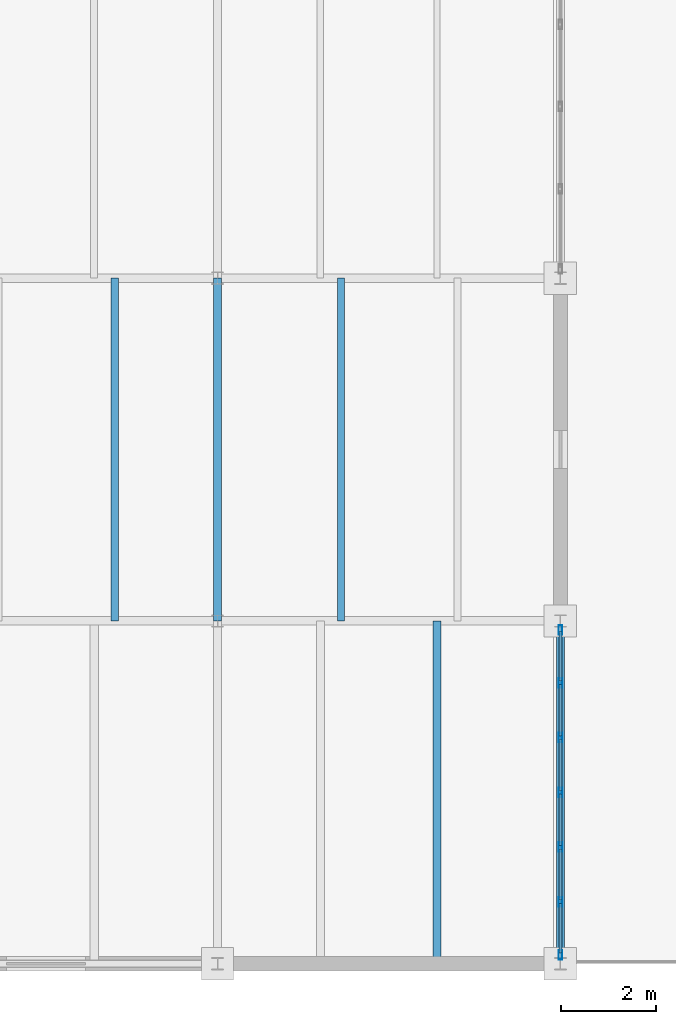
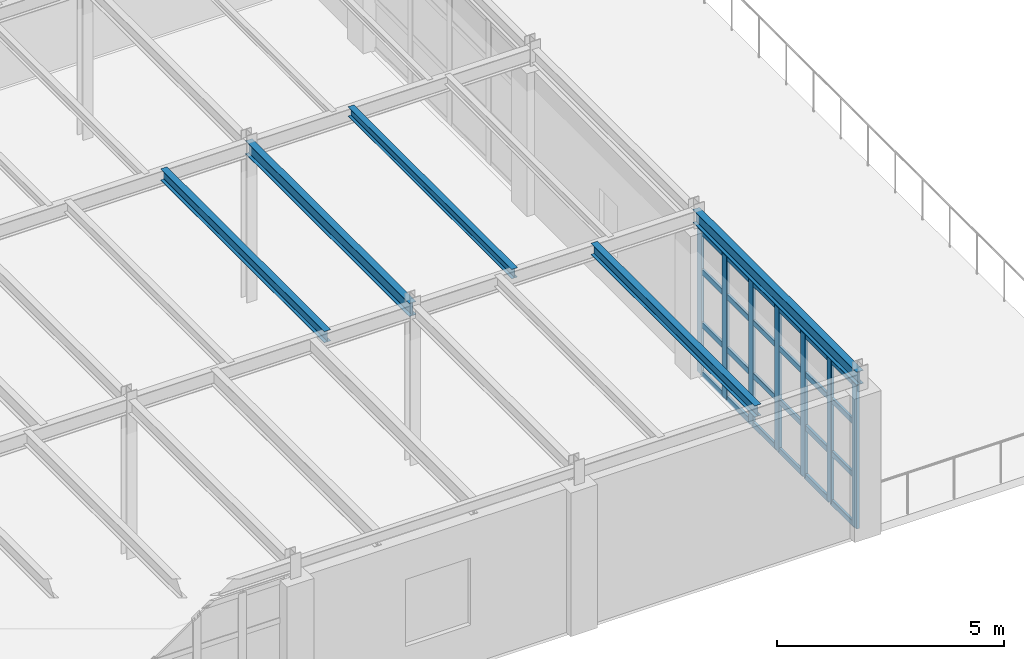
# One storey, part 14 of 36: 31 members, 5 beams, 1 element without a shape of its own.
"""IFC4 building model written with IfcOpenShell, lengths in metres."""

from ifc_helpers import new_model, si_unit, direction, frame, origin, origin_2d, place, context, subcontext, project, spatial, hollow_rectangle, i_section, extrude, material, layer, layer_set, material_profile, profile_set, type_object, element, aggregate, save


model = new_model("IFC4")

# Units and contexts
model_context = context("Model", 3, precision=1e-05, world=origin(), true_north=direction((0.0, 1.0)))
body_context = subcontext(model_context, "Body", "Model", "MODEL_VIEW")
ifc_project = project(units=[si_unit("LENGTHUNIT", "METRE"), si_unit("AREAUNIT", "SQUARE_METRE"), si_unit("VOLUMEUNIT", "CUBIC_METRE"), si_unit("PLANEANGLEUNIT", "RADIAN"), si_unit("MASSUNIT", "GRAM", prefix="KILO")], contexts=[model_context])

# Site, building, storey
site_placement = place(None, origin())
site = spatial("IfcSite", under=ifc_project, at=site_placement, CompositionType="ELEMENT")
building_placement = place(site_placement, origin())
building = spatial("IfcBuilding", under=site, at=building_placement, Name="Kemerveld Promenade Tramway Depot", CompositionType="ELEMENT")
storey_placement = place(building_placement, frame((0.0, 0.0, 14.39990234375)))
storey = spatial("IfcBuildingStorey", under=building, at=storey_placement, Name="L03", CompositionType="ELEMENT", Elevation=14.39990234375)

# Beams
ifc_material_1 = material(Name="Steel S355", Category="steel")
ifc_material_profile_1 = material_profile(ifc_material_1, i_section(OverallWidth=0.172119140625, OverallDepth=0.35791015625, WebThickness=0.008056640625, FlangeThickness=0.012939453125, FilletRadius=0.01025390625, at=origin_2d()), Name="356x171x57 UB")
ifc_profile_set_1 = profile_set([ifc_material_profile_1], Name="Steel S355")
beam_type_1 = type_object("IfcBeamType", Name="BM-G08", PredefinedType="BEAM", material=ifc_profile_set_1)
for number, where, z_axis, x_axis, name in (
    (1, (36.0, 7.199951171875, 4.106201171875), (0.0, 1.0, 0.0), (-1.0, 0.0, 0.0), "BMY-L03-06-B-C"),
    (2, (43.199951171875, 0.0, 4.106201171875), (0.0, 1.0, 0.0), (-1.0, 0.0, 0.0), "BMY-L03-07-A-B"),
):
    element("IfcBeam", number, at=place(storey_placement, frame(where, z_axis=z_axis, x_axis=x_axis)), inside=storey, type_object=beam_type_1, Name=name, PredefinedType="BEAM", context=body_context, shape_type="SweptSolid", body=[
        extrude(i_section(OverallWidth=0.172119140625, OverallDepth=0.35791015625, WebThickness=0.008056640625, FlangeThickness=0.012939453125, FilletRadius=0.01025390625, at=origin_2d()), origin(), (0.0, 0.0, 1.0), 7.199951171875),
    ])
ifc_material_profile_2 = material_profile(ifc_material_1, i_section(OverallWidth=0.165771484375, OverallDepth=0.306640625, WebThickness=0.006591796875, FlangeThickness=0.01171875, FilletRadius=0.0087890625, at=origin_2d()), Name="305x165x46 UB")
ifc_profile_set_2 = profile_set([ifc_material_profile_2], Name="Steel S355")
beam_type_2 = type_object("IfcBeamType", Name="BM-J01", PredefinedType="JOIST", material=ifc_profile_set_2)
for number, where, z_axis, x_axis, name in (
    (3, (33.840087890625, 7.199951171875, 4.1318359375), (0.0, 1.0, 0.0), (-1.0, 0.0, 0.0), "JST-L03-05-B-2"),
    (4, (40.60791015625, 0.0, 4.1318359375), (0.0, 1.0, 0.0), (-1.0, 0.0, 0.0), "JST-L03-06-A-2"),
):
    element("IfcBeam", number, at=place(storey_placement, frame(where, z_axis=z_axis, x_axis=x_axis)), inside=storey, type_object=beam_type_2, Name=name, PredefinedType="JOIST", context=body_context, shape_type="SweptSolid", body=[
        extrude(i_section(OverallWidth=0.165771484375, OverallDepth=0.306640625, WebThickness=0.006591796875, FlangeThickness=0.01171875, FilletRadius=0.0087890625, at=origin_2d()), origin(), (0.0, 0.0, 1.0), 7.199951171875),
    ])
ifc_material_profile_3 = material_profile(ifc_material_1, i_section(OverallWidth=0.146484375, OverallDepth=0.256103515625, WebThickness=0.00634765625, FlangeThickness=0.010986328125, FilletRadius=0.007568359375, at=origin_2d()), Name="254x146x37 UB")
ifc_profile_set_3 = profile_set([ifc_material_profile_3], Name="Steel S355")
beam_type_3 = type_object("IfcBeamType", Name="BM-J02", PredefinedType="JOIST", material=ifc_profile_set_3)
beam_placement = place(storey_placement, frame((38.592041015625, 7.199951171875, 4.156982421875), z_axis=(0.0, 1.0, 0.0), x_axis=(-1.0, 0.0, 0.0)))
element("IfcBeam", 5, at=beam_placement, inside=storey, type_object=beam_type_3, Name="JST-L03-06-B-1", PredefinedType="JOIST", context=body_context, shape_type="SweptSolid", body=[
    extrude(i_section(OverallWidth=0.146484375, OverallDepth=0.256103515625, WebThickness=0.00634765625, FlangeThickness=0.010986328125, FilletRadius=0.007568359375, at=origin_2d()), origin(), (0.0, 0.0, 1.0), 7.199951171875),
])

# Curtain wall, members
ifc_material_2 = material(Name="Bronze anodised aluminium and solar glass", Category="aluminium")
ifc_layer = layer(ifc_material_2, 0.199951171875)
ifc_layer_set = layer_set([ifc_layer], Name="CW-SYS-12")
curtain_wall_type = type_object("IfcCurtainWallType", Name="CW-SYS-12", PredefinedType="USERDEFINED", material=ifc_layer_set)
curtain_wall_placement = place(storey_placement, origin())
curtain_wall = element("IfcCurtainWall", 6, at=curtain_wall_placement, inside=storey, type_object=curtain_wall_type, Name="CW-L03-V5E-09", ObjectType="GLAZED_CURTAIN_WALL", PredefinedType="USERDEFINED")
ifc_material_3 = material(Name="Bronze anodised aluminium", Category="aluminium")
ifc_material_profile_4 = material_profile(ifc_material_3, hollow_rectangle(XDim=0.074951171875, YDim=0.199951171875, WallThickness=0.0048828125, InnerFilletRadius=0.001953125, OuterFilletRadius=0.0048828125, at=origin_2d()), Name="CW-MUL-200x75")
ifc_profile_set_4 = profile_set([ifc_material_profile_4], Name="Bronze anodised aluminium")
member_type_1 = type_object("IfcMemberType", Name="CW-MUL-B", PredefinedType="MULLION", material=ifc_profile_set_4)
member_1_placement = place(storey_placement, frame((43.199951171875, 7.012451171875, 0.0), z_axis=(0.0, 0.0, 1.0), x_axis=(1.0, 0.0, 0.0)))
member_1 = element("IfcMember", 7, at=member_1_placement, type_object=member_type_1, Name="CW12 mullion 1", PredefinedType="MULLION", context=body_context, shape_type="SweptSolid", body=[
    extrude(hollow_rectangle(XDim=0.074951171875, YDim=0.199951171875, WallThickness=0.0048828125, InnerFilletRadius=0.001953125, OuterFilletRadius=0.0048828125, at=origin_2d()), origin(), (0.0, 0.0, 1.0), 3.85009765625),
])
member_2_placement = place(storey_placement, frame((43.199951171875, 5.89990234375, 0.0), z_axis=(0.0, 0.0, 1.0), x_axis=(1.0, 0.0, 0.0)))
member_2 = element("IfcMember", 8, at=member_2_placement, type_object=member_type_1, Name="CW12 mullion 2", PredefinedType="MULLION", context=body_context, shape_type="SweptSolid", body=[
    extrude(hollow_rectangle(XDim=0.074951171875, YDim=0.199951171875, WallThickness=0.0048828125, InnerFilletRadius=0.001953125, OuterFilletRadius=0.0048828125, at=origin_2d()), origin(), (0.0, 0.0, 1.0), 3.85009765625),
])
member_3_placement = place(storey_placement, frame((43.199951171875, 4.75, 0.0), z_axis=(0.0, 0.0, 1.0), x_axis=(1.0, 0.0, 0.0)))
member_3 = element("IfcMember", 9, at=member_3_placement, type_object=member_type_1, Name="CW12 mullion 3", PredefinedType="MULLION", context=body_context, shape_type="SweptSolid", body=[
    extrude(hollow_rectangle(XDim=0.074951171875, YDim=0.199951171875, WallThickness=0.0048828125, InnerFilletRadius=0.001953125, OuterFilletRadius=0.0048828125, at=origin_2d()), origin(), (0.0, 0.0, 1.0), 3.85009765625),
])
member_4_placement = place(storey_placement, frame((43.199951171875, 3.60009765625, 0.0), z_axis=(0.0, 0.0, 1.0), x_axis=(1.0, 0.0, 0.0)))
member_4 = element("IfcMember", 10, at=member_4_placement, type_object=member_type_1, Name="CW12 mullion 4", PredefinedType="MULLION", context=body_context, shape_type="SweptSolid", body=[
    extrude(hollow_rectangle(XDim=0.074951171875, YDim=0.199951171875, WallThickness=0.0048828125, InnerFilletRadius=0.001953125, OuterFilletRadius=0.0048828125, at=origin_2d()), origin(), (0.0, 0.0, 1.0), 3.85009765625),
])
member_5_placement = place(storey_placement, frame((43.199951171875, 2.449951171875, 0.0), z_axis=(0.0, 0.0, 1.0), x_axis=(1.0, 0.0, 0.0)))
member_5 = element("IfcMember", 11, at=member_5_placement, type_object=member_type_1, Name="CW12 mullion 5", PredefinedType="MULLION", context=body_context, shape_type="SweptSolid", body=[
    extrude(hollow_rectangle(XDim=0.074951171875, YDim=0.199951171875, WallThickness=0.0048828125, InnerFilletRadius=0.001953125, OuterFilletRadius=0.0048828125, at=origin_2d()), origin(), (0.0, 0.0, 1.0), 3.85009765625),
])
member_6_placement = place(storey_placement, frame((43.199951171875, 1.300048828125, 0.0), z_axis=(0.0, 0.0, 1.0), x_axis=(1.0, 0.0, 0.0)))
member_6 = element("IfcMember", 12, at=member_6_placement, type_object=member_type_1, Name="CW12 mullion 6", PredefinedType="MULLION", context=body_context, shape_type="SweptSolid", body=[
    extrude(hollow_rectangle(XDim=0.074951171875, YDim=0.199951171875, WallThickness=0.0048828125, InnerFilletRadius=0.001953125, OuterFilletRadius=0.0048828125, at=origin_2d()), origin(), (0.0, 0.0, 1.0), 3.85009765625),
])
member_7_placement = place(storey_placement, frame((43.199951171875, 0.1875, 0.0), z_axis=(0.0, 0.0, 1.0), x_axis=(1.0, 0.0, 0.0)))
member_7 = element("IfcMember", 13, at=member_7_placement, type_object=member_type_1, Name="CW12 mullion 7", PredefinedType="MULLION", context=body_context, shape_type="SweptSolid", body=[
    extrude(hollow_rectangle(XDim=0.074951171875, YDim=0.199951171875, WallThickness=0.0048828125, InnerFilletRadius=0.001953125, OuterFilletRadius=0.0048828125, at=origin_2d()), origin(), (0.0, 0.0, 1.0), 3.85009765625),
])
ifc_material_profile_5 = material_profile(ifc_material_3, hollow_rectangle(XDim=0.06494140625, YDim=0.14990234375, WallThickness=0.00439453125, InnerFilletRadius=0.001953125, OuterFilletRadius=0.00439453125, at=origin_2d()), Name="CW-TRN-150x65")
ifc_profile_set_5 = profile_set([ifc_material_profile_5], Name="Bronze anodised aluminium")
member_type_2 = type_object("IfcMemberType", Name="CW-TRN-B", PredefinedType="USERDEFINED", material=ifc_profile_set_5)
member_8_placement = place(storey_placement, frame((43.199951171875, 6.974853515625, 0.03271484375), z_axis=(0.0, -1.0, 0.0), x_axis=(1.0, 0.0, 0.0)))
member_8 = element("IfcMember", 14, at=member_8_placement, type_object=member_type_2, Name="CW12 transom 1.1", ObjectType="TRANSOM", PredefinedType="USERDEFINED", context=body_context, shape_type="SweptSolid", body=[
    extrude(hollow_rectangle(XDim=0.06494140625, YDim=0.14990234375, WallThickness=0.00439453125, InnerFilletRadius=0.001953125, OuterFilletRadius=0.00439453125, at=origin_2d()), origin(), (0.0, 0.0, 1.0), 1.037353515625),
])
member_9_placement = place(storey_placement, frame((43.199951171875, 6.974853515625, 1.34814453125), z_axis=(0.0, -1.0, 0.0), x_axis=(1.0, 0.0, 0.0)))
member_9 = element("IfcMember", 15, at=member_9_placement, type_object=member_type_2, Name="CW12 transom 1.2", ObjectType="TRANSOM", PredefinedType="USERDEFINED", context=body_context, shape_type="SweptSolid", body=[
    extrude(hollow_rectangle(XDim=0.06494140625, YDim=0.14990234375, WallThickness=0.00439453125, InnerFilletRadius=0.001953125, OuterFilletRadius=0.00439453125, at=origin_2d()), origin(), (0.0, 0.0, 1.0), 1.037353515625),
])
member_10_placement = place(storey_placement, frame((43.199951171875, 6.974853515625, 2.772216796875), z_axis=(0.0, -1.0, 0.0), x_axis=(1.0, 0.0, 0.0)))
member_10 = element("IfcMember", 16, at=member_10_placement, type_object=member_type_2, Name="CW12 transom 1.3", ObjectType="TRANSOM", PredefinedType="USERDEFINED", context=body_context, shape_type="SweptSolid", body=[
    extrude(hollow_rectangle(XDim=0.06494140625, YDim=0.14990234375, WallThickness=0.00439453125, InnerFilletRadius=0.001953125, OuterFilletRadius=0.00439453125, at=origin_2d()), origin(), (0.0, 0.0, 1.0), 1.037353515625),
])
member_11_placement = place(storey_placement, frame((43.199951171875, 6.974853515625, 3.817626953125), z_axis=(0.0, -1.0, 0.0), x_axis=(1.0, 0.0, 0.0)))
member_11 = element("IfcMember", 17, at=member_11_placement, type_object=member_type_2, Name="CW12 transom 1.4", ObjectType="TRANSOM", PredefinedType="USERDEFINED", context=body_context, shape_type="SweptSolid", body=[
    extrude(hollow_rectangle(XDim=0.06494140625, YDim=0.14990234375, WallThickness=0.00439453125, InnerFilletRadius=0.001953125, OuterFilletRadius=0.00439453125, at=origin_2d()), origin(), (0.0, 0.0, 1.0), 1.037353515625),
])
member_12_placement = place(storey_placement, frame((43.199951171875, 5.862548828125, 0.03271484375), z_axis=(0.0, -1.0, 0.0), x_axis=(1.0, 0.0, 0.0)))
member_12 = element("IfcMember", 18, at=member_12_placement, type_object=member_type_2, Name="CW12 transom 2.1", ObjectType="TRANSOM", PredefinedType="USERDEFINED", context=body_context, shape_type="SweptSolid", body=[
    extrude(hollow_rectangle(XDim=0.06494140625, YDim=0.14990234375, WallThickness=0.00439453125, InnerFilletRadius=0.001953125, OuterFilletRadius=0.00439453125, at=origin_2d()), origin(), (0.0, 0.0, 1.0), 1.0751953125),
])
member_13_placement = place(storey_placement, frame((43.199951171875, 5.862548828125, 1.34814453125), z_axis=(0.0, -1.0, 0.0), x_axis=(1.0, 0.0, 0.0)))
member_13 = element("IfcMember", 19, at=member_13_placement, type_object=member_type_2, Name="CW12 transom 2.2", ObjectType="TRANSOM", PredefinedType="USERDEFINED", context=body_context, shape_type="SweptSolid", body=[
    extrude(hollow_rectangle(XDim=0.06494140625, YDim=0.14990234375, WallThickness=0.00439453125, InnerFilletRadius=0.001953125, OuterFilletRadius=0.00439453125, at=origin_2d()), origin(), (0.0, 0.0, 1.0), 1.0751953125),
])
member_14_placement = place(storey_placement, frame((43.199951171875, 5.862548828125, 2.772216796875), z_axis=(0.0, -1.0, 0.0), x_axis=(1.0, 0.0, 0.0)))
member_14 = element("IfcMember", 20, at=member_14_placement, type_object=member_type_2, Name="CW12 transom 2.3", ObjectType="TRANSOM", PredefinedType="USERDEFINED", context=body_context, shape_type="SweptSolid", body=[
    extrude(hollow_rectangle(XDim=0.06494140625, YDim=0.14990234375, WallThickness=0.00439453125, InnerFilletRadius=0.001953125, OuterFilletRadius=0.00439453125, at=origin_2d()), origin(), (0.0, 0.0, 1.0), 1.0751953125),
])
member_15_placement = place(storey_placement, frame((43.199951171875, 5.862548828125, 3.817626953125), z_axis=(0.0, -1.0, 0.0), x_axis=(1.0, 0.0, 0.0)))
member_15 = element("IfcMember", 21, at=member_15_placement, type_object=member_type_2, Name="CW12 transom 2.4", ObjectType="TRANSOM", PredefinedType="USERDEFINED", context=body_context, shape_type="SweptSolid", body=[
    extrude(hollow_rectangle(XDim=0.06494140625, YDim=0.14990234375, WallThickness=0.00439453125, InnerFilletRadius=0.001953125, OuterFilletRadius=0.00439453125, at=origin_2d()), origin(), (0.0, 0.0, 1.0), 1.0751953125),
])
member_16_placement = place(storey_placement, frame((43.199951171875, 4.71240234375, 0.03271484375), z_axis=(0.0, -1.0, 0.0), x_axis=(1.0, 0.0, 0.0)))
member_16 = element("IfcMember", 22, at=member_16_placement, type_object=member_type_2, Name="CW12 transom 3.1", ObjectType="TRANSOM", PredefinedType="USERDEFINED", context=body_context, shape_type="SweptSolid", body=[
    extrude(hollow_rectangle(XDim=0.06494140625, YDim=0.14990234375, WallThickness=0.00439453125, InnerFilletRadius=0.001953125, OuterFilletRadius=0.00439453125, at=origin_2d()), origin(), (0.0, 0.0, 1.0), 1.074951171875),
])
member_17_placement = place(storey_placement, frame((43.199951171875, 4.71240234375, 1.34814453125), z_axis=(0.0, -1.0, 0.0), x_axis=(1.0, 0.0, 0.0)))
member_17 = element("IfcMember", 23, at=member_17_placement, type_object=member_type_2, Name="CW12 transom 3.2", ObjectType="TRANSOM", PredefinedType="USERDEFINED", context=body_context, shape_type="SweptSolid", body=[
    extrude(hollow_rectangle(XDim=0.06494140625, YDim=0.14990234375, WallThickness=0.00439453125, InnerFilletRadius=0.001953125, OuterFilletRadius=0.00439453125, at=origin_2d()), origin(), (0.0, 0.0, 1.0), 1.074951171875),
])
member_18_placement = place(storey_placement, frame((43.199951171875, 4.71240234375, 2.772216796875), z_axis=(0.0, -1.0, 0.0), x_axis=(1.0, 0.0, 0.0)))
member_18 = element("IfcMember", 24, at=member_18_placement, type_object=member_type_2, Name="CW12 transom 3.3", ObjectType="TRANSOM", PredefinedType="USERDEFINED", context=body_context, shape_type="SweptSolid", body=[
    extrude(hollow_rectangle(XDim=0.06494140625, YDim=0.14990234375, WallThickness=0.00439453125, InnerFilletRadius=0.001953125, OuterFilletRadius=0.00439453125, at=origin_2d()), origin(), (0.0, 0.0, 1.0), 1.074951171875),
])
member_19_placement = place(storey_placement, frame((43.199951171875, 4.71240234375, 3.817626953125), z_axis=(0.0, -1.0, 0.0), x_axis=(1.0, 0.0, 0.0)))
member_19 = element("IfcMember", 25, at=member_19_placement, type_object=member_type_2, Name="CW12 transom 3.4", ObjectType="TRANSOM", PredefinedType="USERDEFINED", context=body_context, shape_type="SweptSolid", body=[
    extrude(hollow_rectangle(XDim=0.06494140625, YDim=0.14990234375, WallThickness=0.00439453125, InnerFilletRadius=0.001953125, OuterFilletRadius=0.00439453125, at=origin_2d()), origin(), (0.0, 0.0, 1.0), 1.074951171875),
])
member_20_placement = place(storey_placement, frame((43.199951171875, 3.5625, 0.03271484375), z_axis=(0.0, -1.0, 0.0), x_axis=(1.0, 0.0, 0.0)))
member_20 = element("IfcMember", 26, at=member_20_placement, type_object=member_type_2, Name="CW12 transom 4.1", ObjectType="TRANSOM", PredefinedType="USERDEFINED", context=body_context, shape_type="SweptSolid", body=[
    extrude(hollow_rectangle(XDim=0.06494140625, YDim=0.14990234375, WallThickness=0.00439453125, InnerFilletRadius=0.001953125, OuterFilletRadius=0.00439453125, at=origin_2d()), origin(), (0.0, 0.0, 1.0), 1.074951171875),
])
member_21_placement = place(storey_placement, frame((43.199951171875, 3.5625, 1.34814453125), z_axis=(0.0, -1.0, 0.0), x_axis=(1.0, 0.0, 0.0)))
member_21 = element("IfcMember", 27, at=member_21_placement, type_object=member_type_2, Name="CW12 transom 4.2", ObjectType="TRANSOM", PredefinedType="USERDEFINED", context=body_context, shape_type="SweptSolid", body=[
    extrude(hollow_rectangle(XDim=0.06494140625, YDim=0.14990234375, WallThickness=0.00439453125, InnerFilletRadius=0.001953125, OuterFilletRadius=0.00439453125, at=origin_2d()), origin(), (0.0, 0.0, 1.0), 1.074951171875),
])
member_22_placement = place(storey_placement, frame((43.199951171875, 3.5625, 2.772216796875), z_axis=(0.0, -1.0, 0.0), x_axis=(1.0, 0.0, 0.0)))
member_22 = element("IfcMember", 28, at=member_22_placement, type_object=member_type_2, Name="CW12 transom 4.3", ObjectType="TRANSOM", PredefinedType="USERDEFINED", context=body_context, shape_type="SweptSolid", body=[
    extrude(hollow_rectangle(XDim=0.06494140625, YDim=0.14990234375, WallThickness=0.00439453125, InnerFilletRadius=0.001953125, OuterFilletRadius=0.00439453125, at=origin_2d()), origin(), (0.0, 0.0, 1.0), 1.074951171875),
])
member_23_placement = place(storey_placement, frame((43.199951171875, 3.5625, 3.817626953125), z_axis=(0.0, -1.0, 0.0), x_axis=(1.0, 0.0, 0.0)))
member_23 = element("IfcMember", 29, at=member_23_placement, type_object=member_type_2, Name="CW12 transom 4.4", ObjectType="TRANSOM", PredefinedType="USERDEFINED", context=body_context, shape_type="SweptSolid", body=[
    extrude(hollow_rectangle(XDim=0.06494140625, YDim=0.14990234375, WallThickness=0.00439453125, InnerFilletRadius=0.001953125, OuterFilletRadius=0.00439453125, at=origin_2d()), origin(), (0.0, 0.0, 1.0), 1.074951171875),
])
member_24_placement = place(storey_placement, frame((43.199951171875, 2.41259765625, 0.03271484375), z_axis=(0.0, -1.0, 0.0), x_axis=(1.0, 0.0, 0.0)))
member_24 = element("IfcMember", 30, at=member_24_placement, type_object=member_type_2, Name="CW12 transom 5.1", ObjectType="TRANSOM", PredefinedType="USERDEFINED", context=body_context, shape_type="SweptSolid", body=[
    extrude(hollow_rectangle(XDim=0.06494140625, YDim=0.14990234375, WallThickness=0.00439453125, InnerFilletRadius=0.001953125, OuterFilletRadius=0.00439453125, at=origin_2d()), origin(), (0.0, 0.0, 1.0), 1.074951171875),
])
member_25_placement = place(storey_placement, frame((43.199951171875, 2.41259765625, 1.34814453125), z_axis=(0.0, -1.0, 0.0), x_axis=(1.0, 0.0, 0.0)))
member_25 = element("IfcMember", 31, at=member_25_placement, type_object=member_type_2, Name="CW12 transom 5.2", ObjectType="TRANSOM", PredefinedType="USERDEFINED", context=body_context, shape_type="SweptSolid", body=[
    extrude(hollow_rectangle(XDim=0.06494140625, YDim=0.14990234375, WallThickness=0.00439453125, InnerFilletRadius=0.001953125, OuterFilletRadius=0.00439453125, at=origin_2d()), origin(), (0.0, 0.0, 1.0), 1.074951171875),
])
member_26_placement = place(storey_placement, frame((43.199951171875, 2.41259765625, 2.772216796875), z_axis=(0.0, -1.0, 0.0), x_axis=(1.0, 0.0, 0.0)))
member_26 = element("IfcMember", 32, at=member_26_placement, type_object=member_type_2, Name="CW12 transom 5.3", ObjectType="TRANSOM", PredefinedType="USERDEFINED", context=body_context, shape_type="SweptSolid", body=[
    extrude(hollow_rectangle(XDim=0.06494140625, YDim=0.14990234375, WallThickness=0.00439453125, InnerFilletRadius=0.001953125, OuterFilletRadius=0.00439453125, at=origin_2d()), origin(), (0.0, 0.0, 1.0), 1.074951171875),
])
member_27_placement = place(storey_placement, frame((43.199951171875, 2.41259765625, 3.817626953125), z_axis=(0.0, -1.0, 0.0), x_axis=(1.0, 0.0, 0.0)))
member_27 = element("IfcMember", 33, at=member_27_placement, type_object=member_type_2, Name="CW12 transom 5.4", ObjectType="TRANSOM", PredefinedType="USERDEFINED", context=body_context, shape_type="SweptSolid", body=[
    extrude(hollow_rectangle(XDim=0.06494140625, YDim=0.14990234375, WallThickness=0.00439453125, InnerFilletRadius=0.001953125, OuterFilletRadius=0.00439453125, at=origin_2d()), origin(), (0.0, 0.0, 1.0), 1.074951171875),
])
member_28_placement = place(storey_placement, frame((43.199951171875, 1.262451171875, 0.03271484375), z_axis=(0.0, -1.0, 0.0), x_axis=(1.0, 0.0, 0.0)))
member_28 = element("IfcMember", 34, at=member_28_placement, type_object=member_type_2, Name="CW12 transom 6.1", ObjectType="TRANSOM", PredefinedType="USERDEFINED", context=body_context, shape_type="SweptSolid", body=[
    extrude(hollow_rectangle(XDim=0.06494140625, YDim=0.14990234375, WallThickness=0.00439453125, InnerFilletRadius=0.001953125, OuterFilletRadius=0.00439453125, at=origin_2d()), origin(), (0.0, 0.0, 1.0), 1.037353515625),
])
member_29_placement = place(storey_placement, frame((43.199951171875, 1.262451171875, 1.34814453125), z_axis=(0.0, -1.0, 0.0), x_axis=(1.0, 0.0, 0.0)))
member_29 = element("IfcMember", 35, at=member_29_placement, type_object=member_type_2, Name="CW12 transom 6.2", ObjectType="TRANSOM", PredefinedType="USERDEFINED", context=body_context, shape_type="SweptSolid", body=[
    extrude(hollow_rectangle(XDim=0.06494140625, YDim=0.14990234375, WallThickness=0.00439453125, InnerFilletRadius=0.001953125, OuterFilletRadius=0.00439453125, at=origin_2d()), origin(), (0.0, 0.0, 1.0), 1.037353515625),
])
member_30_placement = place(storey_placement, frame((43.199951171875, 1.262451171875, 2.772216796875), z_axis=(0.0, -1.0, 0.0), x_axis=(1.0, 0.0, 0.0)))
member_30 = element("IfcMember", 36, at=member_30_placement, type_object=member_type_2, Name="CW12 transom 6.3", ObjectType="TRANSOM", PredefinedType="USERDEFINED", context=body_context, shape_type="SweptSolid", body=[
    extrude(hollow_rectangle(XDim=0.06494140625, YDim=0.14990234375, WallThickness=0.00439453125, InnerFilletRadius=0.001953125, OuterFilletRadius=0.00439453125, at=origin_2d()), origin(), (0.0, 0.0, 1.0), 1.037353515625),
])
member_31_placement = place(storey_placement, frame((43.199951171875, 1.262451171875, 3.817626953125), z_axis=(0.0, -1.0, 0.0), x_axis=(1.0, 0.0, 0.0)))
member_31 = element("IfcMember", 37, at=member_31_placement, type_object=member_type_2, Name="CW12 transom 6.4", ObjectType="TRANSOM", PredefinedType="USERDEFINED", context=body_context, shape_type="SweptSolid", body=[
    extrude(hollow_rectangle(XDim=0.06494140625, YDim=0.14990234375, WallThickness=0.00439453125, InnerFilletRadius=0.001953125, OuterFilletRadius=0.00439453125, at=origin_2d()), origin(), (0.0, 0.0, 1.0), 1.037353515625),
])
aggregate(curtain_wall, [member_1, member_2, member_3, member_4, member_5, member_6, member_7, member_8, member_9, member_10, member_11, member_12, member_13, member_14, member_15, member_16, member_17, member_18, member_19, member_20, member_21, member_22, member_23, member_24, member_25, member_26, member_27, member_28, member_29, member_30, member_31])

save(model, "model.ifc")
